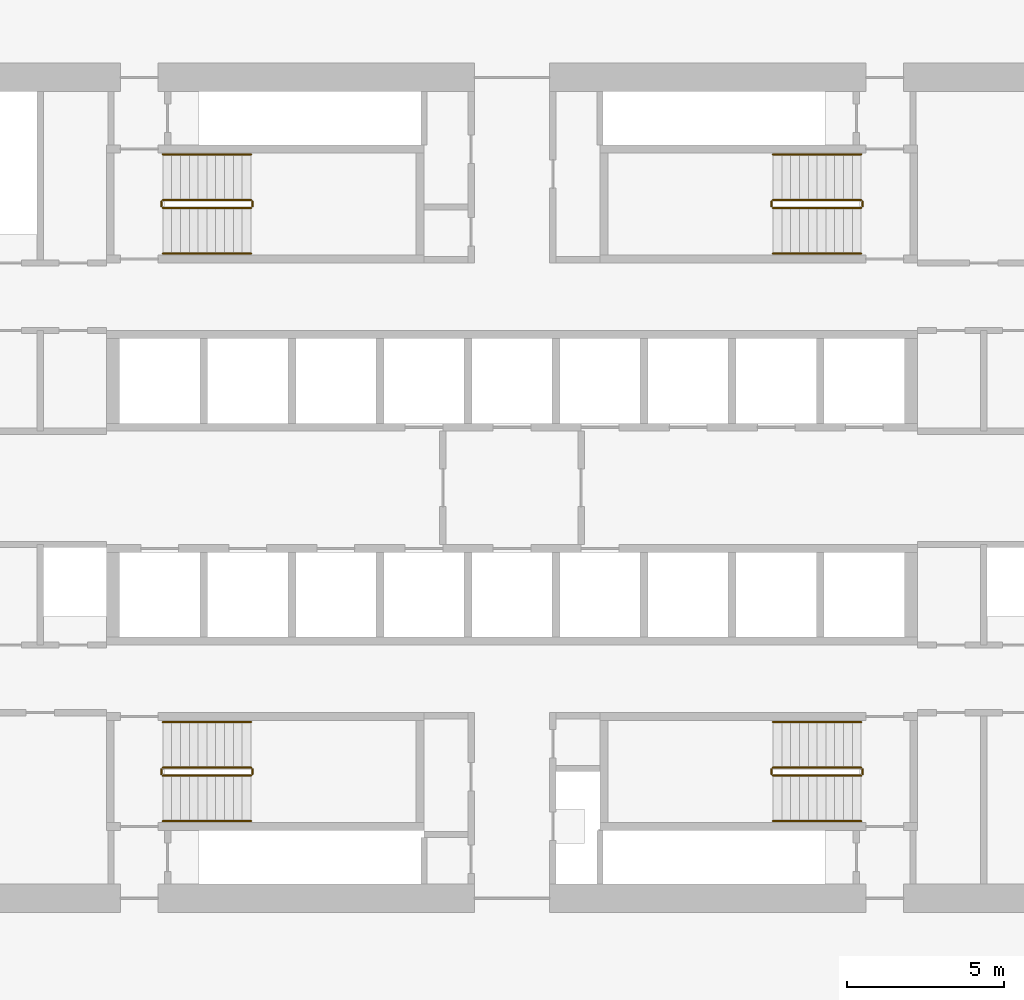
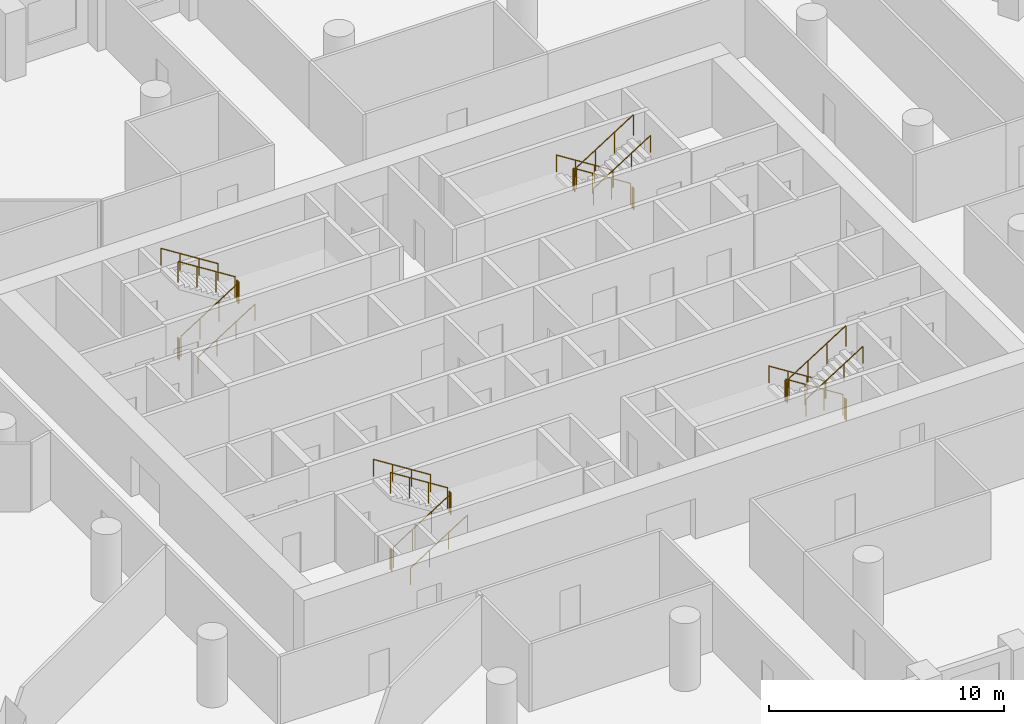
# One storey, part 10 of 10: 24 railings.
"""IFC4 building model written with IfcOpenShell, lengths in metres."""

import ifcopenshell
import ifcopenshell.guid

model = None  # the IFC model being written
_history = None  # IfcOwnerHistory: only IFC2X3 demands one
_inside = {}  # id of a spatial element -> (the spatial element, [elements in it])
_under = {}  # id of a project, library or spatial element -> (it, [spatial elements below it])
_declared = {}  # id of a project -> (the project, [libraries it declares])
_typed = {}  # id of a type object -> (the type object, [elements of that type])
_made_of = {}  # id of a material, layer set ... -> (it, [elements and type objects made of it])


def new_model(schema):
    """Start an empty IFC model of exactly this schema.

    Asked for "IFC4X3", IfcOpenShell would pick the latest addendum, in which some entities
    have other attributes; the version numbers below select the first issue.
    IFC2X3 requires an IfcOwnerHistory on every rooted entity: one is made here for all.
    """
    global model, _history
    if schema == "IFC4X3":
        model = ifcopenshell.file(schema_version=(4, 3, 0, 0))
    else:
        model = ifcopenshell.file(schema=schema)
    _inside.clear()
    _under.clear()
    _declared.clear()
    _typed.clear()
    _made_of.clear()
    _history = None
    if model.schema == "IFC2X3":
        org = make("IfcOrganization", Name="unknown")
        user = make(
            "IfcPersonAndOrganization",
            ThePerson=make("IfcPerson", FamilyName="unknown"),
            TheOrganization=org,
        )
        app = make(
            "IfcApplication",
            ApplicationDeveloper=org,
            Version="unknown",
            ApplicationFullName="unknown",
            ApplicationIdentifier="unknown",
        )
        _history = make(
            "IfcOwnerHistory",
            OwningUser=user,
            OwningApplication=app,
            ChangeAction="ADDED",
            CreationDate=0,
        )
    return model


def make(cls, **values):
    """One entity of the class cls with the attributes given. An attribute that is None is left unset."""
    return model.create_entity(
        cls, **{name: value for name, value in values.items() if value is not None}
    )


def rooted(cls, **values):
    """An entity with a GlobalId (a new one), such as an element, a storey or a relation."""
    return make(cls, GlobalId=ifcopenshell.guid.new(), OwnerHistory=_history, **values)


def si_unit(unit_type, name, prefix=None):
    """IfcSIUnit, for example si_unit("LENGTHUNIT", "METRE", prefix="MILLI")."""
    return make("IfcSIUnit", UnitType=unit_type, Prefix=prefix, Name=name)


def assignment(units):
    """IfcUnitAssignment: the units of a project."""
    return None if units is None else make("IfcUnitAssignment", Units=units)


def point(xyz):
    """IfcCartesianPoint."""
    return None if xyz is None else make("IfcCartesianPoint", Coordinates=xyz)


def direction(xyz):
    """IfcDirection."""
    return None if xyz is None else make("IfcDirection", DirectionRatios=xyz)


def frame(location, z_axis=None, x_axis=None):
    """IfcAxis2Placement3D, a coordinate frame: its origin and axes. An axis left out is left unset."""
    return make(
        "IfcAxis2Placement3D",
        Location=point(location),
        Axis=direction(z_axis),
        RefDirection=direction(x_axis),
    )


def frame_2d(location, x_axis=None):
    """IfcAxis2Placement2D, a coordinate frame in the plane: its origin and x axis."""
    return make(
        "IfcAxis2Placement2D", Location=point(location), RefDirection=direction(x_axis)
    )


def origin():
    """The frame at (0, 0, 0) with its axes left unset."""
    return frame((0.0, 0.0, 0.0))


def origin_2d():
    """The frame at (0, 0) in the plane with its x axis left unset."""
    return frame_2d((0.0, 0.0))


def place(relative_to, where):
    """IfcLocalPlacement: puts the frame where relative to a parent placement (None: the world)."""
    return make(
        "IfcLocalPlacement", PlacementRelTo=relative_to, RelativePlacement=where
    )


def context(
    kind, dimensions, precision=None, world=None, true_north=None, identifier=None
):
    """IfcGeometricRepresentationContext, for example the 3D "Model" context."""
    return make(
        "IfcGeometricRepresentationContext",
        ContextIdentifier=identifier,
        ContextType=kind,
        CoordinateSpaceDimension=dimensions,
        Precision=precision,
        WorldCoordinateSystem=world,
        TrueNorth=true_north,
    )


def subcontext(parent, identifier, kind, view, scale=None):
    """IfcGeometricRepresentationSubContext, for example "Body" below "Model"."""
    return make(
        "IfcGeometricRepresentationSubContext",
        ContextIdentifier=identifier,
        ContextType=kind,
        ParentContext=parent,
        TargetScale=scale,
        TargetView=view,
    )


def project(units=None, contexts=None):
    """IfcProject with its units and contexts."""
    return rooted(
        "IfcProject",
        Name="project",
        RepresentationContexts=contexts,
        UnitsInContext=assignment(units),
    )


def spatial(cls, under=None, at=None, **own):
    """A site, building, storey or space (cls), placed at a placement, below another one or the project."""
    s = rooted(cls, ObjectPlacement=at, **own)
    if under is not None:
        _under.setdefault(under.id(), (under, []))[1].append(s)
    return s


def profile(cls, at=None, kind="AREA", **sizes):
    """A parametric profile (cls). Its sizes go by their IFC names, for example OverallWidth=200.0."""
    return make(cls, ProfileType=kind, Position=at, **sizes)


def circle(**sizes):
    """IfcCircleProfileDef."""
    return profile("IfcCircleProfileDef", **sizes)


def extrude(swept, where, along, depth):
    """IfcExtrudedAreaSolid: the profile swept, set in the frame where, extruded along a direction by depth."""
    return make(
        "IfcExtrudedAreaSolid",
        SweptArea=swept,
        Position=where,
        ExtrudedDirection=direction(along),
        Depth=depth,
    )


def shape(context_of_items, identifier, shape_type, items):
    """IfcShapeRepresentation: the items that make up one representation, for example the "Body"."""
    return make(
        "IfcShapeRepresentation",
        ContextOfItems=context_of_items,
        RepresentationIdentifier=identifier,
        RepresentationType=shape_type,
        Items=items,
    )


def material(Name=None, Category=None):
    """IfcMaterial."""
    return make("IfcMaterial", Name=Name, Category=Category)


def made_of(thing, what):
    """Note that an element or type object is made of a material, layer set ...; save() writes the relation."""
    if what is not None:
        _made_of.setdefault(what.id(), (what, []))[1].append(thing)
    return thing


def type_object(cls, material=None, **own):
    """A type object (cls), such as IfcWallType, which elements share."""
    return made_of(rooted(cls, **own), material)


def element(
    cls,
    number,
    at=None,
    inside=None,
    cuts=None,
    type_object=None,
    material=None,
    context=None,
    identifier="Body",
    shape_type=None,
    held_by="IfcProductDefinitionShape",
    body=None,
    shapes=None,
    **own,
):
    """One element of the class cls, such as IfcWall. Its Tag is "e" and its number.

    at: its placement. inside: the storey or other place that contains it. cuts: it is an
    opening in that element (IfcRelVoidsElement). A single representation is given by context,
    identifier, shape_type and body (its items); several are given by shapes. held_by: the class
    of the entity that holds the representations. save() writes the other relations.
    """
    e = rooted(cls, Tag="e%d" % number, ObjectPlacement=at, **own)
    if body is not None:
        shapes = [shape(context, identifier, shape_type, body)]
    if shapes is not None:
        e.Representation = make(held_by, Representations=shapes)
    if inside is not None:
        _inside.setdefault(inside.id(), (inside, []))[1].append(e)
    if cuts is not None:
        rooted(
            "IfcRelVoidsElement", RelatingBuildingElement=cuts, RelatedOpeningElement=e
        )
    if type_object is not None:
        _typed.setdefault(type_object.id(), (type_object, []))[1].append(e)
    return made_of(e, material)


def aggregate(whole, parts):
    """IfcRelAggregates: a whole, such as a stair, and the parts it consists of."""
    return rooted("IfcRelAggregates", RelatingObject=whole, RelatedObjects=parts)


def save(model, path):
    """Write the relations noted so far, then the file.

    IfcRelAggregates (storeys below a building ...), IfcRelContainedInSpatialStructure (elements
    in a storey), IfcRelDefinesByType, IfcRelAssociatesMaterial and IfcRelDeclares: one each for
    every whole, place, type object, material and project.
    """
    for whole, parts in _under.values():
        aggregate(whole, parts)
    for where, things in _inside.values():
        rooted(
            "IfcRelContainedInSpatialStructure",
            RelatedElements=things,
            RelatingStructure=where,
        )
    for kind, things in _typed.values():
        rooted("IfcRelDefinesByType", RelatedObjects=things, RelatingType=kind)
    for what, things in _made_of.values():
        rooted("IfcRelAssociatesMaterial", RelatedObjects=things, RelatingMaterial=what)
    for by, libraries in _declared.values():
        rooted("IfcRelDeclares", RelatingContext=by, RelatedDefinitions=libraries)
    model.write(path)


model = new_model("IFC4")

# Units and contexts
model_context = context("Model", 3, precision=1e-05, world=origin(), true_north=direction((0.0, 1.0)))
body_context = subcontext(model_context, "Body", "Model", "MODEL_VIEW")
ifc_project = project(units=[si_unit("LENGTHUNIT", "METRE"), si_unit("AREAUNIT", "SQUARE_METRE"), si_unit("VOLUMEUNIT", "CUBIC_METRE"), si_unit("PLANEANGLEUNIT", "RADIAN"), si_unit("MASSUNIT", "GRAM", prefix="KILO")], contexts=[model_context])

# Site, building, storey
site_placement = place(None, origin())
site = spatial("IfcSite", under=ifc_project, at=site_placement, CompositionType="ELEMENT")
building_placement = place(site_placement, origin())
building = spatial("IfcBuilding", under=site, at=building_placement, Name="Dhurran Vertical Campus", CompositionType="ELEMENT")
storey_placement = place(building_placement, frame((0.0, 0.0, 89.10009765625)))
storey = spatial("IfcBuildingStorey", under=building, at=storey_placement, Name="L21", CompositionType="ELEMENT", Elevation=89.10009765625)

# Railings
ifc_material_1 = material(Name="Stainless steel balustrade", Category="steel")
railing_type_1 = type_object("IfcRailingType", Name="co-RL-GUARD-1100", PredefinedType="GUARDRAIL", material=ifc_material_1)
railing_1_placement = place(storey_placement, frame((-11.10009765625, 8.89990234375, 0.17724609375)))
element("IfcRailing", 1, at=railing_1_placement, inside=storey, type_object=railing_type_1, Name="L21 ST1 stair guard 1", PredefinedType="GUARDRAIL", context=body_context, shape_type="SweptSolid", body=[
    extrude(circle(Radius=0.02392578125, at=origin_2d()), frame((0.0, 0.0, 1.076171875), z_axis=(0.844908973607, 0.0, 0.534910110503), x_axis=(0.0, 1.0, 0.0)), (0.0, 0.0, 1.0), 3.31396484375),
    extrude(circle(Radius=0.02099609375, at=origin_2d()), origin(), (0.0, 0.0, 1.0), 1.052001953125),
    extrude(circle(Radius=0.02099609375, at=origin_2d()), frame((0.933349609375, 0.0, 0.5908203125)), (0.0, 0.0, 1.0), 1.052001953125),
    extrude(circle(Radius=0.02099609375, at=origin_2d()), frame((1.86669921875, 0.0, 1.181884765625)), (0.0, 0.0, 1.0), 1.052001953125),
    extrude(circle(Radius=0.02099609375, at=origin_2d()), frame((2.800048828125, 0.0, 1.772705078125)), (0.0, 0.0, 1.0), 1.052001953125),
])
railing_2_placement = place(storey_placement, frame((-8.25, 8.949951171875, 1.949951171875)))
element("IfcRailing", 2, at=railing_2_placement, inside=storey, type_object=railing_type_1, Name="L21 ST1 stair guard 2", PredefinedType="GUARDRAIL", context=body_context, shape_type="SweptSolid", body=[
    extrude(circle(Radius=0.02392578125, at=origin_2d()), frame((0.0, 0.0, 1.076171875), z_axis=(0.0, 1.0, 0.0), x_axis=(-1.0, 0.0, 0.0)), (0.0, 0.0, 1.0), 0.150146484375),
    extrude(circle(Radius=0.02099609375, at=origin_2d()), origin(), (0.0, 0.0, 1.0), 1.052001953125),
    extrude(circle(Radius=0.02099609375, at=origin_2d()), frame((0.0, 0.150146484375, 0.0)), (0.0, 0.0, 1.0), 1.052001953125),
])
railing_3_placement = place(storey_placement, frame((-8.300048828125, 9.14990234375, 2.127197265625)))
element("IfcRailing", 3, at=railing_3_placement, inside=storey, type_object=railing_type_1, Name="L21 ST1 stair guard 3", PredefinedType="GUARDRAIL", context=body_context, shape_type="SweptSolid", body=[
    extrude(circle(Radius=0.02392578125, at=origin_2d()), frame((0.0, 0.0, 1.076171875), z_axis=(-0.844908973607, 0.0, 0.534910110503), x_axis=(0.0, -1.0, 0.0)), (0.0, 0.0, 1.0), 3.31396484375),
    extrude(circle(Radius=0.02099609375, at=origin_2d()), origin(), (0.0, 0.0, 1.0), 1.052001953125),
    extrude(circle(Radius=0.02099609375, at=origin_2d()), frame((-0.933349609375, 0.0, 0.5908203125)), (0.0, 0.0, 1.0), 1.052001953125),
    extrude(circle(Radius=0.02099609375, at=origin_2d()), frame((-1.86669921875, 0.0, 1.181884765625)), (0.0, 0.0, 1.0), 1.052001953125),
    extrude(circle(Radius=0.02099609375, at=origin_2d()), frame((-2.800048828125, 0.0, 1.772705078125)), (0.0, 0.0, 1.0), 1.052001953125),
])
railing_4_placement = place(storey_placement, frame((-11.14990234375, 8.949951171875, 0.0)))
element("IfcRailing", 4, at=railing_4_placement, inside=storey, type_object=railing_type_1, Name="L21 ST1 stair guard 4", PredefinedType="GUARDRAIL", context=body_context, shape_type="SweptSolid", body=[
    extrude(circle(Radius=0.02392578125, at=origin_2d()), frame((0.0, 0.0, 1.076171875), z_axis=(0.0, 1.0, 0.0), x_axis=(-1.0, 0.0, 0.0)), (0.0, 0.0, 1.0), 0.150146484375),
    extrude(circle(Radius=0.02099609375, at=origin_2d()), origin(), (0.0, 0.0, 1.0), 1.052001953125),
    extrude(circle(Radius=0.02099609375, at=origin_2d()), frame((0.0, 0.150146484375, 0.0)), (0.0, 0.0, 1.0), 1.052001953125),
])
railing_5_placement = place(storey_placement, frame((11.10009765625, 9.14990234375, 0.17724609375)))
element("IfcRailing", 5, at=railing_5_placement, inside=storey, type_object=railing_type_1, Name="L21 ST2 stair guard 1", PredefinedType="GUARDRAIL", context=body_context, shape_type="SweptSolid", body=[
    extrude(circle(Radius=0.02392578125, at=origin_2d()), frame((0.0, 0.0, 1.076171875), z_axis=(-0.844908973607, 0.0, 0.534910110503), x_axis=(0.0, -1.0, 0.0)), (0.0, 0.0, 1.0), 3.31396484375),
    extrude(circle(Radius=0.02099609375, at=origin_2d()), origin(), (0.0, 0.0, 1.0), 1.052001953125),
    extrude(circle(Radius=0.02099609375, at=origin_2d()), frame((-0.933349609375, 0.0, 0.5908203125)), (0.0, 0.0, 1.0), 1.052001953125),
    extrude(circle(Radius=0.02099609375, at=origin_2d()), frame((-1.86669921875, 0.0, 1.181884765625)), (0.0, 0.0, 1.0), 1.052001953125),
    extrude(circle(Radius=0.02099609375, at=origin_2d()), frame((-2.800048828125, 0.0, 1.772705078125)), (0.0, 0.0, 1.0), 1.052001953125),
])
railing_6_placement = place(storey_placement, frame((8.25, 9.10009765625, 1.949951171875)))
element("IfcRailing", 6, at=railing_6_placement, inside=storey, type_object=railing_type_1, Name="L21 ST2 stair guard 2", PredefinedType="GUARDRAIL", context=body_context, shape_type="SweptSolid", body=[
    extrude(circle(Radius=0.02392578125, at=origin_2d()), frame((0.0, 0.0, 1.076171875), z_axis=(0.0, -1.0, 0.0), x_axis=(1.0, 0.0, 0.0)), (0.0, 0.0, 1.0), 0.150146484375),
    extrude(circle(Radius=0.02099609375, at=origin_2d()), origin(), (0.0, 0.0, 1.0), 1.052001953125),
    extrude(circle(Radius=0.02099609375, at=origin_2d()), frame((0.0, -0.150146484375, 0.0)), (0.0, 0.0, 1.0), 1.052001953125),
])
railing_7_placement = place(storey_placement, frame((8.300048828125, 8.89990234375, 2.127197265625)))
element("IfcRailing", 7, at=railing_7_placement, inside=storey, type_object=railing_type_1, Name="L21 ST2 stair guard 3", PredefinedType="GUARDRAIL", context=body_context, shape_type="SweptSolid", body=[
    extrude(circle(Radius=0.02392578125, at=origin_2d()), frame((0.0, 0.0, 1.076171875), z_axis=(0.844908973607, 0.0, 0.534910110503), x_axis=(0.0, 1.0, 0.0)), (0.0, 0.0, 1.0), 3.31396484375),
    extrude(circle(Radius=0.02099609375, at=origin_2d()), origin(), (0.0, 0.0, 1.0), 1.052001953125),
    extrude(circle(Radius=0.02099609375, at=origin_2d()), frame((0.933349609375, 0.0, 0.5908203125)), (0.0, 0.0, 1.0), 1.052001953125),
    extrude(circle(Radius=0.02099609375, at=origin_2d()), frame((1.86669921875, 0.0, 1.181884765625)), (0.0, 0.0, 1.0), 1.052001953125),
    extrude(circle(Radius=0.02099609375, at=origin_2d()), frame((2.800048828125, 0.0, 1.772705078125)), (0.0, 0.0, 1.0), 1.052001953125),
])
railing_8_placement = place(storey_placement, frame((11.14990234375, 9.10009765625, 0.0)))
element("IfcRailing", 8, at=railing_8_placement, inside=storey, type_object=railing_type_1, Name="L21 ST2 stair guard 4", PredefinedType="GUARDRAIL", context=body_context, shape_type="SweptSolid", body=[
    extrude(circle(Radius=0.02392578125, at=origin_2d()), frame((0.0, 0.0, 1.076171875), z_axis=(0.0, -1.0, 0.0), x_axis=(1.0, 0.0, 0.0)), (0.0, 0.0, 1.0), 0.150146484375),
    extrude(circle(Radius=0.02099609375, at=origin_2d()), origin(), (0.0, 0.0, 1.0), 1.052001953125),
    extrude(circle(Radius=0.02099609375, at=origin_2d()), frame((0.0, -0.150146484375, 0.0)), (0.0, 0.0, 1.0), 1.052001953125),
])
railing_9_placement = place(storey_placement, frame((-11.10009765625, -9.14990234375, 0.17724609375)))
element("IfcRailing", 9, at=railing_9_placement, inside=storey, type_object=railing_type_1, Name="L21 ST3 stair guard 1", PredefinedType="GUARDRAIL", context=body_context, shape_type="SweptSolid", body=[
    extrude(circle(Radius=0.02392578125, at=origin_2d()), frame((0.0, 0.0, 1.076171875), z_axis=(0.844908973607, 0.0, 0.534910110503), x_axis=(0.0, 1.0, 0.0)), (0.0, 0.0, 1.0), 3.31396484375),
    extrude(circle(Radius=0.02099609375, at=origin_2d()), origin(), (0.0, 0.0, 1.0), 1.052001953125),
    extrude(circle(Radius=0.02099609375, at=origin_2d()), frame((0.933349609375, 0.0, 0.5908203125)), (0.0, 0.0, 1.0), 1.052001953125),
    extrude(circle(Radius=0.02099609375, at=origin_2d()), frame((1.86669921875, 0.0, 1.181884765625)), (0.0, 0.0, 1.0), 1.052001953125),
    extrude(circle(Radius=0.02099609375, at=origin_2d()), frame((2.800048828125, 0.0, 1.772705078125)), (0.0, 0.0, 1.0), 1.052001953125),
])
railing_10_placement = place(storey_placement, frame((-8.25, -9.10009765625, 1.949951171875)))
element("IfcRailing", 10, at=railing_10_placement, inside=storey, type_object=railing_type_1, Name="L21 ST3 stair guard 2", PredefinedType="GUARDRAIL", context=body_context, shape_type="SweptSolid", body=[
    extrude(circle(Radius=0.02392578125, at=origin_2d()), frame((0.0, 0.0, 1.076171875), z_axis=(0.0, 1.0, 0.0), x_axis=(-1.0, 0.0, 0.0)), (0.0, 0.0, 1.0), 0.150146484375),
    extrude(circle(Radius=0.02099609375, at=origin_2d()), origin(), (0.0, 0.0, 1.0), 1.052001953125),
    extrude(circle(Radius=0.02099609375, at=origin_2d()), frame((0.0, 0.150146484375, 0.0)), (0.0, 0.0, 1.0), 1.052001953125),
])
railing_11_placement = place(storey_placement, frame((-8.300048828125, -8.89990234375, 2.127197265625)))
element("IfcRailing", 11, at=railing_11_placement, inside=storey, type_object=railing_type_1, Name="L21 ST3 stair guard 3", PredefinedType="GUARDRAIL", context=body_context, shape_type="SweptSolid", body=[
    extrude(circle(Radius=0.02392578125, at=origin_2d()), frame((0.0, 0.0, 1.076171875), z_axis=(-0.844908973607, 0.0, 0.534910110503), x_axis=(0.0, -1.0, 0.0)), (0.0, 0.0, 1.0), 3.31396484375),
    extrude(circle(Radius=0.02099609375, at=origin_2d()), origin(), (0.0, 0.0, 1.0), 1.052001953125),
    extrude(circle(Radius=0.02099609375, at=origin_2d()), frame((-0.933349609375, 0.0, 0.5908203125)), (0.0, 0.0, 1.0), 1.052001953125),
    extrude(circle(Radius=0.02099609375, at=origin_2d()), frame((-1.86669921875, 0.0, 1.181884765625)), (0.0, 0.0, 1.0), 1.052001953125),
    extrude(circle(Radius=0.02099609375, at=origin_2d()), frame((-2.800048828125, 0.0, 1.772705078125)), (0.0, 0.0, 1.0), 1.052001953125),
])
railing_12_placement = place(storey_placement, frame((-11.14990234375, -9.10009765625, 0.0)))
element("IfcRailing", 12, at=railing_12_placement, inside=storey, type_object=railing_type_1, Name="L21 ST3 stair guard 4", PredefinedType="GUARDRAIL", context=body_context, shape_type="SweptSolid", body=[
    extrude(circle(Radius=0.02392578125, at=origin_2d()), frame((0.0, 0.0, 1.076171875), z_axis=(0.0, 1.0, 0.0), x_axis=(-1.0, 0.0, 0.0)), (0.0, 0.0, 1.0), 0.150146484375),
    extrude(circle(Radius=0.02099609375, at=origin_2d()), origin(), (0.0, 0.0, 1.0), 1.052001953125),
    extrude(circle(Radius=0.02099609375, at=origin_2d()), frame((0.0, 0.150146484375, 0.0)), (0.0, 0.0, 1.0), 1.052001953125),
])
railing_13_placement = place(storey_placement, frame((11.10009765625, -8.89990234375, 0.17724609375)))
element("IfcRailing", 13, at=railing_13_placement, inside=storey, type_object=railing_type_1, Name="L21 ST4 stair guard 1", PredefinedType="GUARDRAIL", context=body_context, shape_type="SweptSolid", body=[
    extrude(circle(Radius=0.02392578125, at=origin_2d()), frame((0.0, 0.0, 1.076171875), z_axis=(-0.844908973607, 0.0, 0.534910110503), x_axis=(0.0, -1.0, 0.0)), (0.0, 0.0, 1.0), 3.31396484375),
    extrude(circle(Radius=0.02099609375, at=origin_2d()), origin(), (0.0, 0.0, 1.0), 1.052001953125),
    extrude(circle(Radius=0.02099609375, at=origin_2d()), frame((-0.933349609375, 0.0, 0.5908203125)), (0.0, 0.0, 1.0), 1.052001953125),
    extrude(circle(Radius=0.02099609375, at=origin_2d()), frame((-1.86669921875, 0.0, 1.181884765625)), (0.0, 0.0, 1.0), 1.052001953125),
    extrude(circle(Radius=0.02099609375, at=origin_2d()), frame((-2.800048828125, 0.0, 1.772705078125)), (0.0, 0.0, 1.0), 1.052001953125),
])
railing_14_placement = place(storey_placement, frame((8.25, -8.949951171875, 1.949951171875)))
element("IfcRailing", 14, at=railing_14_placement, inside=storey, type_object=railing_type_1, Name="L21 ST4 stair guard 2", PredefinedType="GUARDRAIL", context=body_context, shape_type="SweptSolid", body=[
    extrude(circle(Radius=0.02392578125, at=origin_2d()), frame((0.0, 0.0, 1.076171875), z_axis=(0.0, -1.0, 0.0), x_axis=(1.0, 0.0, 0.0)), (0.0, 0.0, 1.0), 0.150146484375),
    extrude(circle(Radius=0.02099609375, at=origin_2d()), origin(), (0.0, 0.0, 1.0), 1.052001953125),
    extrude(circle(Radius=0.02099609375, at=origin_2d()), frame((0.0, -0.150146484375, 0.0)), (0.0, 0.0, 1.0), 1.052001953125),
])
railing_15_placement = place(storey_placement, frame((8.300048828125, -9.14990234375, 2.127197265625)))
element("IfcRailing", 15, at=railing_15_placement, inside=storey, type_object=railing_type_1, Name="L21 ST4 stair guard 3", PredefinedType="GUARDRAIL", context=body_context, shape_type="SweptSolid", body=[
    extrude(circle(Radius=0.02392578125, at=origin_2d()), frame((0.0, 0.0, 1.076171875), z_axis=(0.844908973607, 0.0, 0.534910110503), x_axis=(0.0, 1.0, 0.0)), (0.0, 0.0, 1.0), 3.31396484375),
    extrude(circle(Radius=0.02099609375, at=origin_2d()), origin(), (0.0, 0.0, 1.0), 1.052001953125),
    extrude(circle(Radius=0.02099609375, at=origin_2d()), frame((0.933349609375, 0.0, 0.5908203125)), (0.0, 0.0, 1.0), 1.052001953125),
    extrude(circle(Radius=0.02099609375, at=origin_2d()), frame((1.86669921875, 0.0, 1.181884765625)), (0.0, 0.0, 1.0), 1.052001953125),
    extrude(circle(Radius=0.02099609375, at=origin_2d()), frame((2.800048828125, 0.0, 1.772705078125)), (0.0, 0.0, 1.0), 1.052001953125),
])
railing_16_placement = place(storey_placement, frame((11.14990234375, -8.949951171875, 0.0)))
element("IfcRailing", 16, at=railing_16_placement, inside=storey, type_object=railing_type_1, Name="L21 ST4 stair guard 4", PredefinedType="GUARDRAIL", context=body_context, shape_type="SweptSolid", body=[
    extrude(circle(Radius=0.02392578125, at=origin_2d()), frame((0.0, 0.0, 1.076171875), z_axis=(0.0, -1.0, 0.0), x_axis=(1.0, 0.0, 0.0)), (0.0, 0.0, 1.0), 0.150146484375),
    extrude(circle(Radius=0.02099609375, at=origin_2d()), origin(), (0.0, 0.0, 1.0), 1.052001953125),
    extrude(circle(Radius=0.02099609375, at=origin_2d()), frame((0.0, -0.150146484375, 0.0)), (0.0, 0.0, 1.0), 1.052001953125),
])
ifc_material_2 = material(Name="Stainless steel handrail", Category="steel")
railing_type_2 = type_object("IfcRailingType", Name="co-RL-HANDRAIL-900", PredefinedType="HANDRAIL", material=ifc_material_2)
railing_17_placement = place(storey_placement, frame((-11.10009765625, 7.449951171875, 0.17724609375)))
element("IfcRailing", 17, at=railing_17_placement, inside=storey, type_object=railing_type_2, Name="L21 ST1 stair handrail 1", PredefinedType="HANDRAIL", context=body_context, shape_type="SweptSolid", body=[
    extrude(circle(Radius=0.02392578125, at=origin_2d()), frame((0.0, 0.0, 0.8759765625), z_axis=(0.844908973607, 0.0, 0.534910110503), x_axis=(0.0, 1.0, 0.0)), (0.0, 0.0, 1.0), 3.31396484375),
    extrude(circle(Radius=0.02099609375, at=origin_2d()), origin(), (0.0, 0.0, 1.0), 0.851806640625),
    extrude(circle(Radius=0.02099609375, at=origin_2d()), frame((0.933349609375, 0.0, 0.5908203125)), (0.0, 0.0, 1.0), 0.851806640625),
    extrude(circle(Radius=0.02099609375, at=origin_2d()), frame((1.86669921875, 0.0, 1.181884765625)), (0.0, 0.0, 1.0), 0.851806640625),
    extrude(circle(Radius=0.02099609375, at=origin_2d()), frame((2.800048828125, 0.0, 1.772705078125)), (0.0, 0.0, 1.0), 0.851806640625),
])
for number, where, name in (
    (18, (-8.300048828125, 10.60009765625, 2.127197265625), "L21 ST1 stair handrail 2"),
    (19, (11.10009765625, 10.60009765625, 0.17724609375), "L21 ST2 stair handrail 1"),
):
    element("IfcRailing", number, at=place(storey_placement, frame(where)), inside=storey, type_object=railing_type_2, Name=name, PredefinedType="HANDRAIL", context=body_context, shape_type="SweptSolid", body=[
        extrude(circle(Radius=0.02392578125, at=origin_2d()), frame((0.0, 0.0, 0.8759765625), z_axis=(-0.844908973607, 0.0, 0.534910110503), x_axis=(0.0, -1.0, 0.0)), (0.0, 0.0, 1.0), 3.31396484375),
        extrude(circle(Radius=0.02099609375, at=origin_2d()), origin(), (0.0, 0.0, 1.0), 0.851806640625),
        extrude(circle(Radius=0.02099609375, at=origin_2d()), frame((-0.933349609375, 0.0, 0.5908203125)), (0.0, 0.0, 1.0), 0.851806640625),
        extrude(circle(Radius=0.02099609375, at=origin_2d()), frame((-1.86669921875, 0.0, 1.181884765625)), (0.0, 0.0, 1.0), 0.851806640625),
        extrude(circle(Radius=0.02099609375, at=origin_2d()), frame((-2.800048828125, 0.0, 1.772705078125)), (0.0, 0.0, 1.0), 0.851806640625),
    ])
for number, where, name in (
    (20, (8.300048828125, 7.449951171875, 2.127197265625), "L21 ST2 stair handrail 2"),
    (21, (-11.10009765625, -10.60009765625, 0.17724609375), "L21 ST3 stair handrail 1"),
):
    element("IfcRailing", number, at=place(storey_placement, frame(where)), inside=storey, type_object=railing_type_2, Name=name, PredefinedType="HANDRAIL", context=body_context, shape_type="SweptSolid", body=[
        extrude(circle(Radius=0.02392578125, at=origin_2d()), frame((0.0, 0.0, 0.8759765625), z_axis=(0.844908973607, 0.0, 0.534910110503), x_axis=(0.0, 1.0, 0.0)), (0.0, 0.0, 1.0), 3.31396484375),
        extrude(circle(Radius=0.02099609375, at=origin_2d()), origin(), (0.0, 0.0, 1.0), 0.851806640625),
        extrude(circle(Radius=0.02099609375, at=origin_2d()), frame((0.933349609375, 0.0, 0.5908203125)), (0.0, 0.0, 1.0), 0.851806640625),
        extrude(circle(Radius=0.02099609375, at=origin_2d()), frame((1.86669921875, 0.0, 1.181884765625)), (0.0, 0.0, 1.0), 0.851806640625),
        extrude(circle(Radius=0.02099609375, at=origin_2d()), frame((2.800048828125, 0.0, 1.772705078125)), (0.0, 0.0, 1.0), 0.851806640625),
    ])
for number, where, name in (
    (22, (-8.300048828125, -7.449951171875, 2.127197265625), "L21 ST3 stair handrail 2"),
    (23, (11.10009765625, -7.449951171875, 0.17724609375), "L21 ST4 stair handrail 1"),
):
    element("IfcRailing", number, at=place(storey_placement, frame(where)), inside=storey, type_object=railing_type_2, Name=name, PredefinedType="HANDRAIL", context=body_context, shape_type="SweptSolid", body=[
        extrude(circle(Radius=0.02392578125, at=origin_2d()), frame((0.0, 0.0, 0.8759765625), z_axis=(-0.844908973607, 0.0, 0.534910110503), x_axis=(0.0, -1.0, 0.0)), (0.0, 0.0, 1.0), 3.31396484375),
        extrude(circle(Radius=0.02099609375, at=origin_2d()), origin(), (0.0, 0.0, 1.0), 0.851806640625),
        extrude(circle(Radius=0.02099609375, at=origin_2d()), frame((-0.933349609375, 0.0, 0.5908203125)), (0.0, 0.0, 1.0), 0.851806640625),
        extrude(circle(Radius=0.02099609375, at=origin_2d()), frame((-1.86669921875, 0.0, 1.181884765625)), (0.0, 0.0, 1.0), 0.851806640625),
        extrude(circle(Radius=0.02099609375, at=origin_2d()), frame((-2.800048828125, 0.0, 1.772705078125)), (0.0, 0.0, 1.0), 0.851806640625),
    ])
railing_18_placement = place(storey_placement, frame((8.300048828125, -10.60009765625, 2.127197265625)))
element("IfcRailing", 24, at=railing_18_placement, inside=storey, type_object=railing_type_2, Name="L21 ST4 stair handrail 2", PredefinedType="HANDRAIL", context=body_context, shape_type="SweptSolid", body=[
    extrude(circle(Radius=0.02392578125, at=origin_2d()), frame((0.0, 0.0, 0.8759765625), z_axis=(0.844908973607, 0.0, 0.534910110503), x_axis=(0.0, 1.0, 0.0)), (0.0, 0.0, 1.0), 3.31396484375),
    extrude(circle(Radius=0.02099609375, at=origin_2d()), origin(), (0.0, 0.0, 1.0), 0.851806640625),
    extrude(circle(Radius=0.02099609375, at=origin_2d()), frame((0.933349609375, 0.0, 0.5908203125)), (0.0, 0.0, 1.0), 0.851806640625),
    extrude(circle(Radius=0.02099609375, at=origin_2d()), frame((1.86669921875, 0.0, 1.181884765625)), (0.0, 0.0, 1.0), 0.851806640625),
    extrude(circle(Radius=0.02099609375, at=origin_2d()), frame((2.800048828125, 0.0, 1.772705078125)), (0.0, 0.0, 1.0), 0.851806640625),
])

save(model, "model.ifc")
